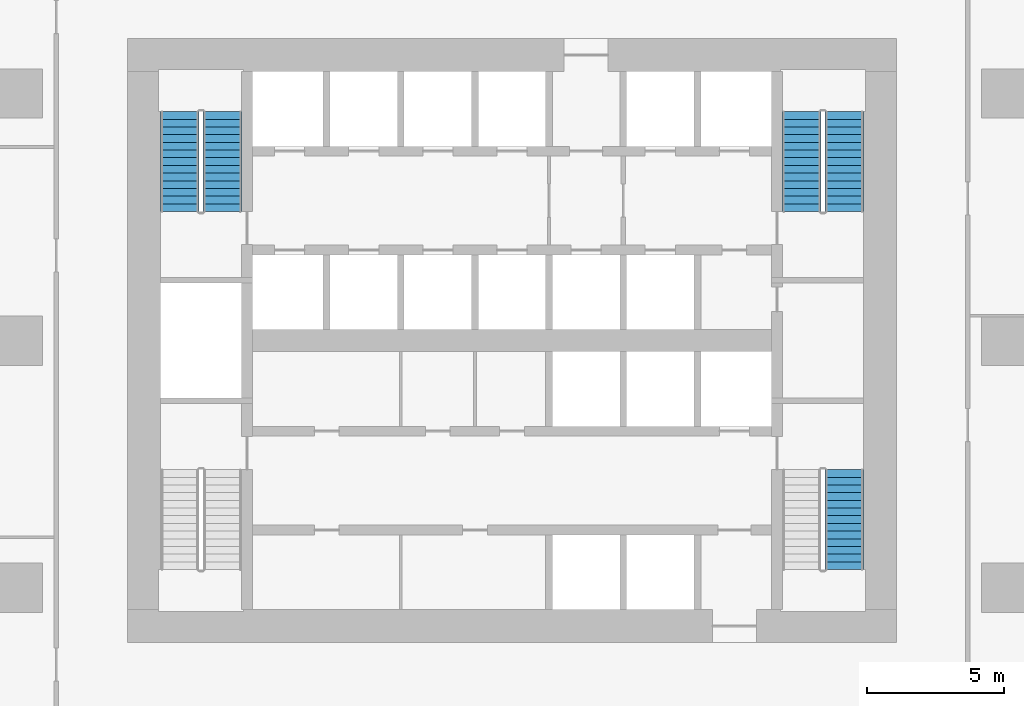
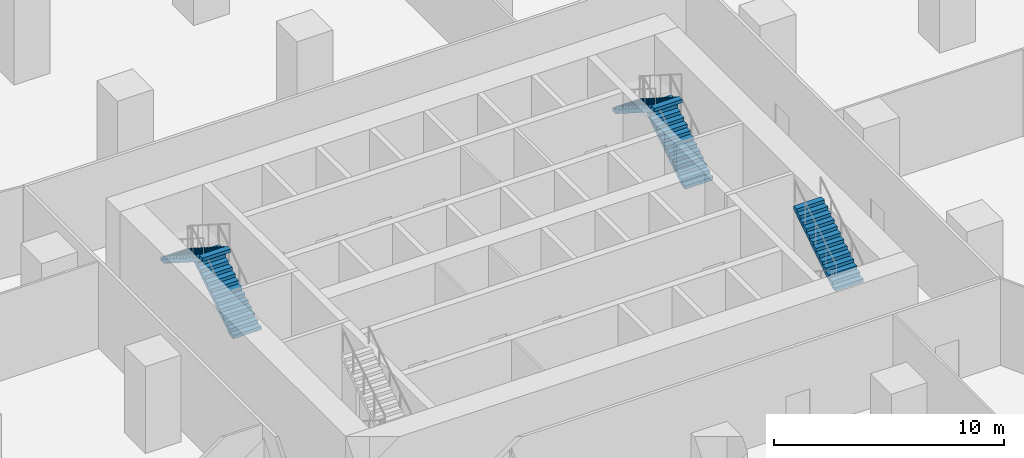
# One storey, part 13 of 15: 5 stair flights, 3 elements without a shape of their own.
"""IFC4 building model written with IfcOpenShell, lengths in metres."""

from ifc_helpers import new_model, si_unit, direction, frame, origin, place, context, subcontext, project, spatial, polyline, outline, extrude, material, layer, layer_set, type_object, element, aggregate, save


model = new_model("IFC4")

# Units and contexts
model_context = context("Model", 3, precision=1e-05, world=origin(), true_north=direction((0.0, 1.0)))
body_context = subcontext(model_context, "Body", "Model", "MODEL_VIEW")
ifc_project = project(units=[si_unit("LENGTHUNIT", "METRE"), si_unit("AREAUNIT", "SQUARE_METRE"), si_unit("VOLUMEUNIT", "CUBIC_METRE"), si_unit("PLANEANGLEUNIT", "RADIAN"), si_unit("MASSUNIT", "GRAM", prefix="KILO")], contexts=[model_context])

# Site, building, storey
site_placement = place(None, origin())
site = spatial("IfcSite", under=ifc_project, at=site_placement, CompositionType="ELEMENT")
building_placement = place(site_placement, origin())
building = spatial("IfcBuilding", under=site, at=building_placement, Name="Dongbaek Canopy Tower", CompositionType="ELEMENT")
storey_placement = place(building_placement, frame((0.0, 0.0, 33.0)))
storey = spatial("IfcBuildingStorey", under=building, at=storey_placement, Name="L04", CompositionType="ELEMENT", Elevation=33.0)

# Stair, stair flights
ifc_material_1 = material(Name="Concrete C40/50", Category="concrete")
stair_type = type_object("IfcStairType", Name="Core exit stair", PredefinedType="HALF_TURN_STAIR", material=ifc_material_1)
stair_1_placement = place(storey_placement, origin())
stair_1 = element("IfcStair", 1, at=stair_1_placement, inside=storey, type_object=stair_type, Name="L04 exit stair A", PredefinedType="HALF_TURN_STAIR")
ifc_material_2 = material(Name="Concrete C40/50", Category="concrete")
ifc_layer = layer(ifc_material_2, 0.14990234375)
ifc_layer_set = layer_set([ifc_layer], Name="Core stair flight 150 waist")
stair_flight_type = type_object("IfcStairFlightType", Name="Core stair flight 150 waist", PredefinedType="STRAIGHT", material=ifc_layer_set)
stair_flight_1_placement = place(storey_placement, frame((12.10009765625, 4.699951171875, 0.0), z_axis=(0.0, 0.0, 1.0), x_axis=(0.0, 1.0, 0.0)))
stair_flight_1 = element("IfcStairFlight", 2, at=stair_flight_1_placement, type_object=stair_flight_type, Name="ST-A flight 1", NumberOfRisers=14, NumberOfTreads=13, PredefinedType="STRAIGHT", RiserHeight=0.178571429, TreadLength=0.28, context=body_context, shape_type="SweptSolid", body=[
    extrude(outline(polyline([(0.0, 0.0), (0.0, 0.178466796875), (0.280029296875, 0.178466796875), (0.280029296875, 0.357177734375), (0.56005859375, 0.357177734375), (0.56005859375, 0.53564453125), (0.840087890625, 0.53564453125), (0.840087890625, 0.71435546875), (1.1201171875, 0.71435546875), (1.1201171875, 0.892822265625), (1.39990234375, 0.892822265625), (1.39990234375, 1.071533203125), (1.679931640625, 1.071533203125), (1.679931640625, 1.25), (1.9599609375, 1.25), (1.9599609375, 1.428466796875), (2.239990234375, 1.428466796875), (2.239990234375, 1.607177734375), (2.52001953125, 1.607177734375), (2.52001953125, 1.78564453125), (2.800048828125, 1.78564453125), (2.800048828125, 1.96435546875), (3.080078125, 1.96435546875), (3.080078125, 2.142822265625), (3.360107421875, 2.142822265625), (3.360107421875, 2.321533203125), (3.639892578125, 2.321533203125), (3.639892578125, 2.5), (3.639892578125, 2.1435546875), (0.27880859375, 0.0), (0.0, 0.0)])), frame((0.0, 0.699951171875, 0.0), z_axis=(0.0, -1.0, 0.0), x_axis=(1.0, 0.0, 0.0)), (0.0, 0.0, 1.0), 1.39990234375),
])
stair_flight_2_placement = place(storey_placement, frame((10.550048828125, 8.340087890625, 2.5), z_axis=(0.0, 0.0, 1.0), x_axis=(0.0, -1.0, 0.0)))
stair_flight_2 = element("IfcStairFlight", 3, at=stair_flight_2_placement, type_object=stair_flight_type, Name="ST-A flight 2", NumberOfRisers=14, NumberOfTreads=13, PredefinedType="STRAIGHT", RiserHeight=0.178571429, TreadLength=0.28, context=body_context, shape_type="SweptSolid", body=[
    extrude(outline(polyline([(0.0, 0.0), (0.0, 0.178466796875), (0.280029296875, 0.178466796875), (0.280029296875, 0.357177734375), (0.56005859375, 0.357177734375), (0.56005859375, 0.53564453125), (0.840087890625, 0.53564453125), (0.840087890625, 0.71435546875), (1.1201171875, 0.71435546875), (1.1201171875, 0.892822265625), (1.39990234375, 0.892822265625), (1.39990234375, 1.071533203125), (1.679931640625, 1.071533203125), (1.679931640625, 1.25), (1.9599609375, 1.25), (1.9599609375, 1.428466796875), (2.239990234375, 1.428466796875), (2.239990234375, 1.607177734375), (2.52001953125, 1.607177734375), (2.52001953125, 1.78564453125), (2.800048828125, 1.78564453125), (2.800048828125, 1.96435546875), (3.080078125, 1.96435546875), (3.080078125, 2.142822265625), (3.360107421875, 2.142822265625), (3.360107421875, 2.321533203125), (3.639892578125, 2.321533203125), (3.639892578125, 2.5), (3.639892578125, 2.1435546875), (0.27880859375, 0.0), (0.0, 0.0)])), frame((0.0, 0.699951171875, 0.0), z_axis=(0.0, -1.0, 0.0), x_axis=(1.0, 0.0, 0.0)), (0.0, 0.0, 1.0), 1.39990234375),
])
aggregate(stair_1, [stair_flight_1, stair_flight_2])

stair_2_placement = place(storey_placement, origin())
stair_2 = element("IfcStair", 4, at=stair_2_placement, inside=storey, type_object=stair_type, Name="L04 exit stair C", PredefinedType="HALF_TURN_STAIR")
stair_flight_3_placement = place(storey_placement, frame((-10.550048828125, 4.699951171875, 0.0), z_axis=(0.0, 0.0, 1.0), x_axis=(0.0, 1.0, 0.0)))
stair_flight_3 = element("IfcStairFlight", 5, at=stair_flight_3_placement, type_object=stair_flight_type, Name="ST-C flight 1", NumberOfRisers=14, NumberOfTreads=13, PredefinedType="STRAIGHT", RiserHeight=0.178571429, TreadLength=0.28, context=body_context, shape_type="SweptSolid", body=[
    extrude(outline(polyline([(0.0, 0.0), (0.0, 0.178466796875), (0.280029296875, 0.178466796875), (0.280029296875, 0.357177734375), (0.56005859375, 0.357177734375), (0.56005859375, 0.53564453125), (0.840087890625, 0.53564453125), (0.840087890625, 0.71435546875), (1.1201171875, 0.71435546875), (1.1201171875, 0.892822265625), (1.39990234375, 0.892822265625), (1.39990234375, 1.071533203125), (1.679931640625, 1.071533203125), (1.679931640625, 1.25), (1.9599609375, 1.25), (1.9599609375, 1.428466796875), (2.239990234375, 1.428466796875), (2.239990234375, 1.607177734375), (2.52001953125, 1.607177734375), (2.52001953125, 1.78564453125), (2.800048828125, 1.78564453125), (2.800048828125, 1.96435546875), (3.080078125, 1.96435546875), (3.080078125, 2.142822265625), (3.360107421875, 2.142822265625), (3.360107421875, 2.321533203125), (3.639892578125, 2.321533203125), (3.639892578125, 2.5), (3.639892578125, 2.1435546875), (0.27880859375, 0.0), (0.0, 0.0)])), frame((0.0, 0.699951171875, 0.0), z_axis=(0.0, -1.0, 0.0), x_axis=(1.0, 0.0, 0.0)), (0.0, 0.0, 1.0), 1.39990234375),
])
stair_flight_4_placement = place(storey_placement, frame((-12.10009765625, 8.340087890625, 2.5), z_axis=(0.0, 0.0, 1.0), x_axis=(0.0, -1.0, 0.0)))
stair_flight_4 = element("IfcStairFlight", 6, at=stair_flight_4_placement, type_object=stair_flight_type, Name="ST-C flight 2", NumberOfRisers=14, NumberOfTreads=13, PredefinedType="STRAIGHT", RiserHeight=0.178571429, TreadLength=0.28, context=body_context, shape_type="SweptSolid", body=[
    extrude(outline(polyline([(0.0, 0.0), (0.0, 0.178466796875), (0.280029296875, 0.178466796875), (0.280029296875, 0.357177734375), (0.56005859375, 0.357177734375), (0.56005859375, 0.53564453125), (0.840087890625, 0.53564453125), (0.840087890625, 0.71435546875), (1.1201171875, 0.71435546875), (1.1201171875, 0.892822265625), (1.39990234375, 0.892822265625), (1.39990234375, 1.071533203125), (1.679931640625, 1.071533203125), (1.679931640625, 1.25), (1.9599609375, 1.25), (1.9599609375, 1.428466796875), (2.239990234375, 1.428466796875), (2.239990234375, 1.607177734375), (2.52001953125, 1.607177734375), (2.52001953125, 1.78564453125), (2.800048828125, 1.78564453125), (2.800048828125, 1.96435546875), (3.080078125, 1.96435546875), (3.080078125, 2.142822265625), (3.360107421875, 2.142822265625), (3.360107421875, 2.321533203125), (3.639892578125, 2.321533203125), (3.639892578125, 2.5), (3.639892578125, 2.1435546875), (0.27880859375, 0.0), (0.0, 0.0)])), frame((0.0, 0.699951171875, 0.0), z_axis=(0.0, -1.0, 0.0), x_axis=(1.0, 0.0, 0.0)), (0.0, 0.0, 1.0), 1.39990234375),
])
aggregate(stair_2, [stair_flight_3, stair_flight_4])

# Stair, stair flight
stair_3_placement = place(storey_placement, origin())
stair_3 = element("IfcStair", 7, at=stair_3_placement, inside=storey, type_object=stair_type, Name="L04 exit stair B", PredefinedType="HALF_TURN_STAIR")
stair_flight_5_placement = place(storey_placement, frame((12.10009765625, -8.340087890625, 2.5), z_axis=(0.0, 0.0, 1.0), x_axis=(0.0, 1.0, 0.0)))
stair_flight_5 = element("IfcStairFlight", 8, at=stair_flight_5_placement, type_object=stair_flight_type, Name="ST-B flight 2", NumberOfRisers=14, NumberOfTreads=13, PredefinedType="STRAIGHT", RiserHeight=0.178571429, TreadLength=0.28, context=body_context, shape_type="SweptSolid", body=[
    extrude(outline(polyline([(0.0, 0.0), (0.0, 0.178466796875), (0.280029296875, 0.178466796875), (0.280029296875, 0.357177734375), (0.56005859375, 0.357177734375), (0.56005859375, 0.53564453125), (0.840087890625, 0.53564453125), (0.840087890625, 0.71435546875), (1.1201171875, 0.71435546875), (1.1201171875, 0.892822265625), (1.39990234375, 0.892822265625), (1.39990234375, 1.071533203125), (1.679931640625, 1.071533203125), (1.679931640625, 1.25), (1.9599609375, 1.25), (1.9599609375, 1.428466796875), (2.239990234375, 1.428466796875), (2.239990234375, 1.607177734375), (2.52001953125, 1.607177734375), (2.52001953125, 1.78564453125), (2.800048828125, 1.78564453125), (2.800048828125, 1.96435546875), (3.080078125, 1.96435546875), (3.080078125, 2.142822265625), (3.360107421875, 2.142822265625), (3.360107421875, 2.321533203125), (3.639892578125, 2.321533203125), (3.639892578125, 2.5), (3.639892578125, 2.1435546875), (0.27880859375, 0.0), (0.0, 0.0)])), frame((0.0, 0.699951171875, 0.0), z_axis=(0.0, -1.0, 0.0), x_axis=(1.0, 0.0, 0.0)), (0.0, 0.0, 1.0), 1.39990234375),
])
aggregate(stair_3, [stair_flight_5])

save(model, "model.ifc")
